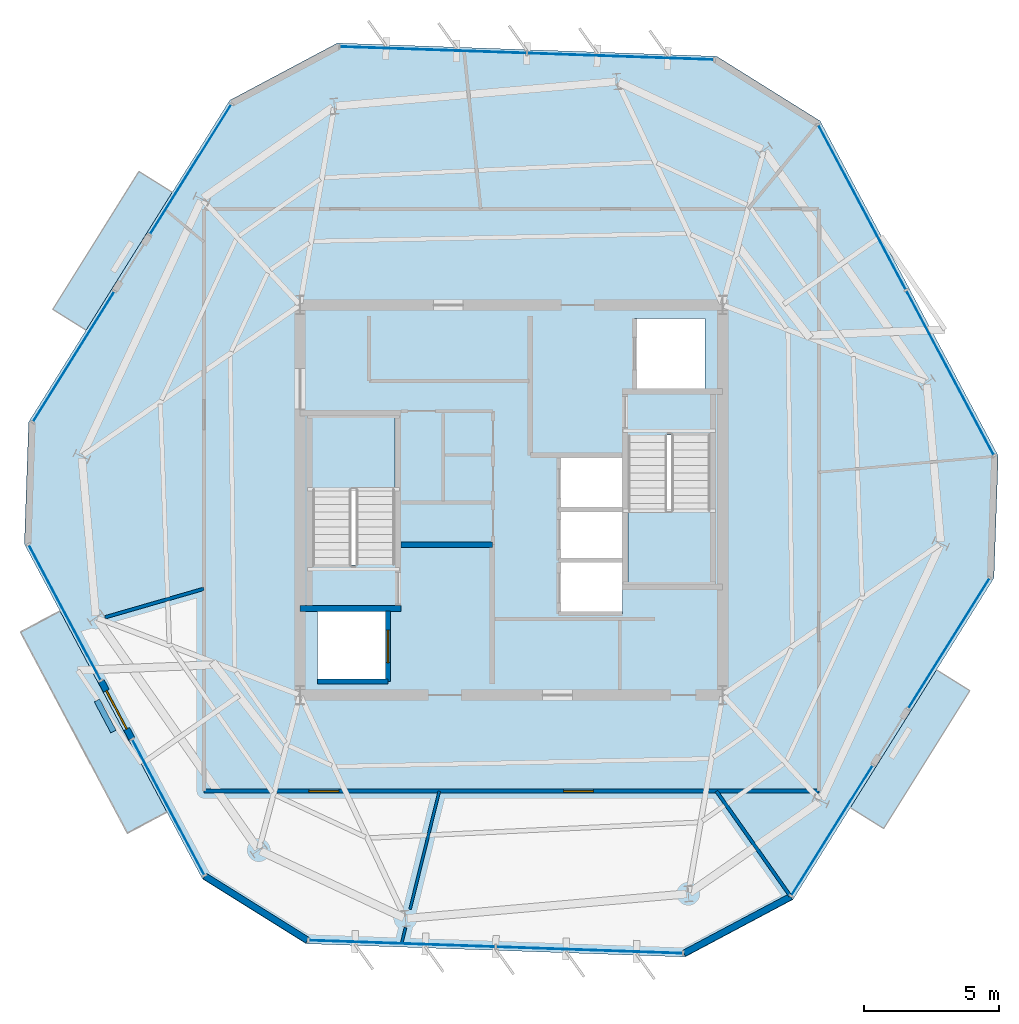
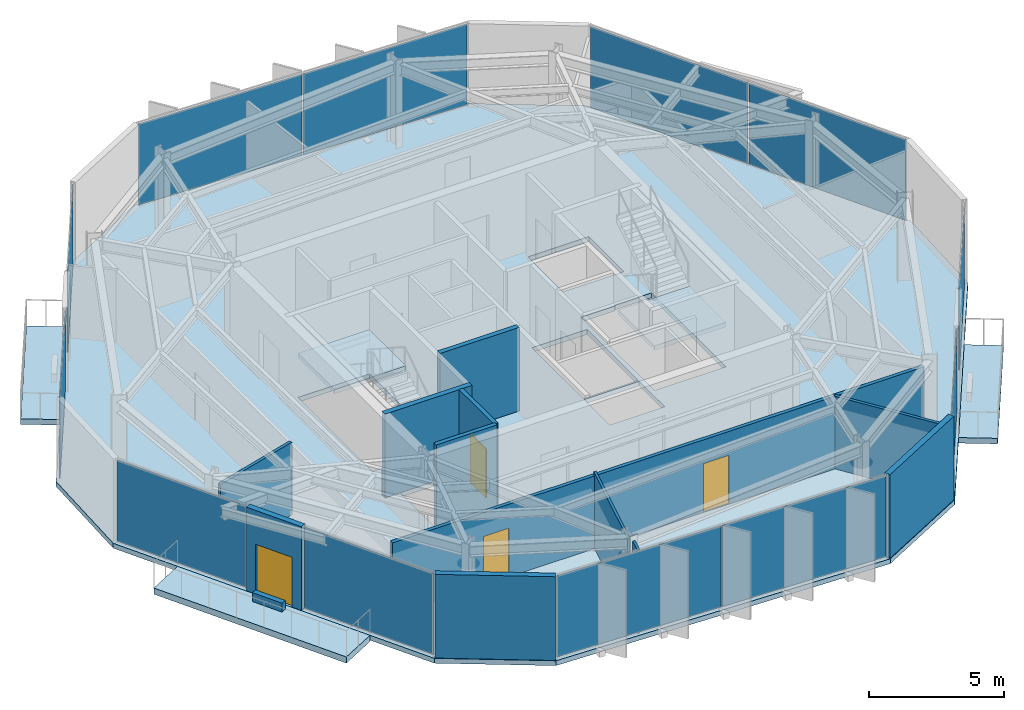
# One storey, part 6 of 12: 13 walls, 12 plates, 6 slabs, 4 doors, 4 openings, 11 elements without a shape of their own.
"""IFC4 building model written with IfcOpenShell, lengths in metres."""

from ifc_helpers import new_model, si_unit, direction, frame, frame_2d, origin, origin_2d, place, context, subcontext, project, spatial, polyline, rectangle, outline, extrude, material, layer, layer_set, type_object, element, fill, aggregate, save


model = new_model("IFC4")

# Units and contexts
model_context = context("Model", 3, precision=1e-05, world=origin(), true_north=direction((0.0, 1.0)))
body_context = subcontext(model_context, "Body", "Model", "MODEL_VIEW")
ifc_project = project(units=[si_unit("LENGTHUNIT", "METRE"), si_unit("AREAUNIT", "SQUARE_METRE"), si_unit("VOLUMEUNIT", "CUBIC_METRE"), si_unit("PLANEANGLEUNIT", "RADIAN"), si_unit("MASSUNIT", "GRAM", prefix="KILO")], contexts=[model_context])

# Site, building, storey
site_placement = place(None, origin())
site = spatial("IfcSite", under=ifc_project, at=site_placement, CompositionType="ELEMENT")
building_placement = place(site_placement, origin())
building = spatial("IfcBuilding", under=site, at=building_placement, Name="Kranzbogen Civic Tower", CompositionType="ELEMENT")
storey_placement = place(building_placement, frame((0.0, 0.0, 258.199951171875)))
storey = spatial("IfcBuildingStorey", under=building, at=storey_placement, Name="L62", CompositionType="ELEMENT", Elevation=258.199951171875)

# Slab
ifc_material_1 = material(Name="Concrete C40/50", Category="concrete")
ifc_layer_1 = layer(ifc_material_1, 0.219970703125, Name="Concrete C40/50")
ifc_layer_set_1 = layer_set([ifc_layer_1], Name="Concrete C40/50")
slab_type_1 = type_object("IfcSlabType", Name="Composite Upper Tower Floor Slab 220 mm", PredefinedType="FLOOR", material=ifc_layer_set_1)
slab_1_placement = place(storey_placement, frame((0.0, 0.0, -0.219970703125)))
element("IfcSlab", 1, at=slab_1_placement, inside=storey, type_object=slab_type_1, Name="L62 tower floor slab", PredefinedType="FLOOR", context=body_context, shape_type="SweptSolid", body=[
    extrude(outline(polyline([(32.58203125, 41.37890625), (18.5791015625, 41.867919921875), (14.60595703125, 39.7548828125), (7.181884765625, 27.8740234375), (7.02490234375, 23.3759765625), (13.60205078125, 11.006103515625), (17.41796875, 8.62109375), (31.4208984375, 8.132080078125), (35.39404296875, 10.2451171875), (42.818115234375, 22.1259765625), (42.97509765625, 26.6240234375), (36.39794921875, 38.993896484375), (32.58203125, 41.37890625)]), holes=[polyline([(17.85009765625, 20.89990234375), (20.449951171875, 20.89990234375), (20.449951171875, 18.300048828125), (17.85009765625, 18.300048828125), (17.85009765625, 20.89990234375)]), polyline([(29.10009765625, 22.699951171875), (29.10009765625, 20.800048828125), (26.75, 20.800048828125), (26.75, 22.699951171875), (29.10009765625, 22.699951171875)]), polyline([(29.10009765625, 24.64990234375), (29.10009765625, 22.77490234375), (26.75, 22.77490234375), (26.75, 24.64990234375), (26.75, 24.675048828125), (26.75, 26.550048828125), (29.10009765625, 26.550048828125), (29.10009765625, 24.675048828125), (29.10009765625, 24.64990234375)]), polyline([(29.300048828125, 27.340087890625), (30.75, 27.340087890625), (30.75, 27.39990234375), (32.35009765625, 27.39990234375), (32.35009765625, 21.89990234375), (29.300048828125, 21.89990234375), (29.300048828125, 27.340087890625)]), polyline([(20.699951171875, 22.659912109375), (19.25, 22.659912109375), (19.25, 22.60009765625), (17.64990234375, 22.60009765625), (17.64990234375, 28.10009765625), (20.699951171875, 28.10009765625), (20.699951171875, 22.659912109375)]), polyline([(32.14990234375, 31.699951171875), (32.14990234375, 29.10009765625), (29.550048828125, 29.10009765625), (29.550048828125, 31.699951171875), (32.14990234375, 31.699951171875)])]), origin(), (0.0, 0.0, 1.0), 0.219970703125),
])

# Curtain wall, plates
ifc_material_2 = material(Name="Pale Anodised Aluminium", Category="aluminium")
ifc_layer_2 = layer(ifc_material_2, 0.219970703125, Name="Pale Anodised Aluminium")
ifc_layer_set_2 = layer_set([ifc_layer_2], Name="Pale Anodised Aluminium")
curtain_wall_type = type_object("IfcCurtainWallType", Name="Zone 4 Stick Curtain Wall System CW-05", PredefinedType="USERDEFINED", material=ifc_layer_set_2)
curtain_wall_1_placement = place(storey_placement, origin())
curtain_wall_1 = element("IfcCurtainWall", 2, at=curtain_wall_1_placement, inside=storey, type_object=curtain_wall_type, Name="L62 curtain wall CW-L62-F1", ObjectType="STICK CURTAIN WALL", PredefinedType="USERDEFINED")
ifc_material_3 = material(Name="Low-E Triple Glazing Glass", Category="glass")
ifc_layer_3 = layer(ifc_material_3, 0.028076171875, Name="Low-E Triple Glazing Glass")
ifc_layer_set_3 = layer_set([ifc_layer_3], Name="Low-E Triple Glazing Glass")
plate_type = type_object("IfcPlateType", Name="Insulated Low-E Glazing Panel 28 mm", PredefinedType="CURTAIN_PANEL", material=ifc_layer_set_3)
plate_1_placement = place(storey_placement, frame((29.034423828125, 41.373779296875, 0.06005859375), z_axis=(0.0, 0.0, 1.0), x_axis=(-0.999391301516, 0.034885906233, 0.0)))
plate_1 = element("IfcPlate", 3, at=plate_1_placement, type_object=plate_type, Name="CW-05 panel 1.1", PredefinedType="CURTAIN_PANEL", context=body_context, shape_type="SweptSolid", body=[
    extrude(rectangle(XDim=6.861328125, YDim=0.028076171875, at=origin_2d()), origin(), (0.0, 0.0, 1.0), 3.659912109375),
])
plate_2_placement = place(storey_placement, frame((22.117431640625, 41.615234375, 0.06005859375), z_axis=(0.0, 0.0, 1.0), x_axis=(-0.999391301516, 0.034885906233, 0.0)))
plate_2 = element("IfcPlate", 4, at=plate_2_placement, type_object=plate_type, Name="CW-05 panel 2.1", PredefinedType="CURTAIN_PANEL", context=body_context, shape_type="SweptSolid", body=[
    extrude(rectangle(XDim=6.861328125, YDim=0.028076171875, at=origin_2d()), origin(), (0.0, 0.0, 1.0), 3.659912109375),
])
aggregate(curtain_wall_1, [plate_1, plate_2])

# Curtain wall, plate
curtain_wall_2_placement = place(storey_placement, origin())
curtain_wall_2 = element("IfcCurtainWall", 5, at=curtain_wall_2_placement, inside=storey, type_object=curtain_wall_type, Name="L62 curtain wall CW-L62-F2-S1", ObjectType="STICK CURTAIN WALL", PredefinedType="USERDEFINED")
plate_3_placement = place(storey_placement, frame((13.1630859375, 37.202392578125, 0.06005859375), z_axis=(0.0, 0.0, 1.0), x_axis=(-0.52998331033, -0.848008072351, 0.0)))
plate_3 = element("IfcPlate", 6, at=plate_3_placement, type_object=plate_type, Name="CW-05 panel 1.1", PredefinedType="CURTAIN_PANEL", context=body_context, shape_type="SweptSolid", body=[
    extrude(rectangle(XDim=5.631103515625, YDim=0.028076171875, at=origin_2d()), origin(), (0.0, 0.0, 1.0), 3.659912109375),
])
aggregate(curtain_wall_2, [plate_3])

curtain_wall_3_placement = place(storey_placement, origin())
curtain_wall_3 = element("IfcCurtainWall", 7, at=curtain_wall_3_placement, inside=storey, type_object=curtain_wall_type, Name="L62 curtain wall CW-L62-F2-S2", ObjectType="STICK CURTAIN WALL", PredefinedType="USERDEFINED")
plate_4_placement = place(storey_placement, frame((8.843994140625, 30.29052734375, 0.06005859375), z_axis=(0.0, 0.0, 1.0), x_axis=(-0.52998331033, -0.848008072351, 0.0)))
plate_4 = element("IfcPlate", 8, at=plate_4_placement, type_object=plate_type, Name="CW-05 panel 1.1", PredefinedType="CURTAIN_PANEL", context=body_context, shape_type="SweptSolid", body=[
    extrude(rectangle(XDim=5.631103515625, YDim=0.028076171875, at=origin_2d()), origin(), (0.0, 0.0, 1.0), 3.659912109375),
])
aggregate(curtain_wall_3, [plate_4])

curtain_wall_4_placement = place(storey_placement, origin())
curtain_wall_4 = element("IfcCurtainWall", 9, at=curtain_wall_4_placement, inside=storey, type_object=curtain_wall_type, Name="L62 curtain wall CW-L62-F3-S1", ObjectType="STICK CURTAIN WALL", PredefinedType="USERDEFINED")
plate_5_placement = place(storey_placement, frame((8.513916015625, 20.85009765625, 0.06005859375), z_axis=(0.0, 0.0, 1.0), x_axis=(0.469468784746, -0.882949069963, 0.0)))
plate_5 = element("IfcPlate", 10, at=plate_5_placement, type_object=plate_type, Name="CW-05 panel 1.1", PredefinedType="CURTAIN_PANEL", context=body_context, shape_type="SweptSolid", body=[
    extrude(rectangle(XDim=5.631103515625, YDim=0.028076171875, at=origin_2d()), origin(), (0.0, 0.0, 1.0), 3.659912109375),
])
aggregate(curtain_wall_4, [plate_5])

curtain_wall_5_placement = place(storey_placement, origin())
curtain_wall_5 = element("IfcCurtainWall", 11, at=curtain_wall_5_placement, inside=storey, type_object=curtain_wall_type, Name="L62 curtain wall CW-L62-F3-S2", ObjectType="STICK CURTAIN WALL", PredefinedType="USERDEFINED")
plate_6_placement = place(storey_placement, frame((12.340576171875, 13.653564453125, 0.06005859375), z_axis=(0.0, 0.0, 1.0), x_axis=(0.4694052891, -0.882982828012, 0.0)))
plate_6 = element("IfcPlate", 12, at=plate_6_placement, type_object=plate_type, Name="CW-05 panel 1.1", PredefinedType="CURTAIN_PANEL", context=body_context, shape_type="SweptSolid", body=[
    extrude(rectangle(XDim=5.6298828125, YDim=0.028076171875, at=origin_2d()), origin(), (0.0, 0.0, 1.0), 3.659912109375),
])
aggregate(curtain_wall_5, [plate_6])

# Curtain wall, plates
curtain_wall_6_placement = place(storey_placement, origin())
curtain_wall_6 = element("IfcCurtainWall", 13, at=curtain_wall_6_placement, inside=storey, type_object=curtain_wall_type, Name="L62 curtain wall CW-L62-F4", ObjectType="STICK CURTAIN WALL", PredefinedType="USERDEFINED")
plate_7_placement = place(storey_placement, frame((20.965576171875, 8.626220703125, 0.06005859375), z_axis=(0.0, 0.0, 1.0), x_axis=(0.999391301516, -0.034885906233, 0.0)))
plate_7 = element("IfcPlate", 14, at=plate_7_placement, type_object=plate_type, Name="CW-05 panel 1.1", PredefinedType="CURTAIN_PANEL", context=body_context, shape_type="SweptSolid", body=[
    extrude(rectangle(XDim=6.861328125, YDim=0.028076171875, at=origin_2d()), origin(), (0.0, 0.0, 1.0), 3.659912109375),
])
plate_8_placement = place(storey_placement, frame((27.882568359375, 8.384765625, 0.06005859375), z_axis=(0.0, 0.0, 1.0), x_axis=(0.999391301516, -0.034885906233, 0.0)))
plate_8 = element("IfcPlate", 15, at=plate_8_placement, type_object=plate_type, Name="CW-05 panel 2.1", PredefinedType="CURTAIN_PANEL", context=body_context, shape_type="SweptSolid", body=[
    extrude(rectangle(XDim=6.861328125, YDim=0.028076171875, at=origin_2d()), origin(), (0.0, 0.0, 1.0), 3.659912109375),
])
aggregate(curtain_wall_6, [plate_7, plate_8])

# Curtain wall, plate
curtain_wall_7_placement = place(storey_placement, origin())
curtain_wall_7 = element("IfcCurtainWall", 16, at=curtain_wall_7_placement, inside=storey, type_object=curtain_wall_type, Name="L62 curtain wall CW-L62-F5-S1", ObjectType="STICK CURTAIN WALL", PredefinedType="USERDEFINED")
plate_9_placement = place(storey_placement, frame((36.8369140625, 12.798095703125, 0.06005859375), z_axis=(0.0, 0.0, 1.0), x_axis=(0.529905173136, 0.848056901088, 0.0)))
plate_9 = element("IfcPlate", 17, at=plate_9_placement, type_object=plate_type, Name="CW-05 panel 1.1", PredefinedType="CURTAIN_PANEL", context=body_context, shape_type="SweptSolid", body=[
    extrude(rectangle(XDim=5.632080078125, YDim=0.028076171875, at=origin_2d()), origin(), (0.0, 0.0, 1.0), 3.659912109375),
])
aggregate(curtain_wall_7, [plate_9])

curtain_wall_8_placement = place(storey_placement, origin())
curtain_wall_8 = element("IfcCurtainWall", 18, at=curtain_wall_8_placement, inside=storey, type_object=curtain_wall_type, Name="L62 curtain wall CW-L62-F5-S2", ObjectType="STICK CURTAIN WALL", PredefinedType="USERDEFINED")
plate_10_placement = place(storey_placement, frame((41.156494140625, 19.7099609375, 0.06005859375), z_axis=(0.0, 0.0, 1.0), x_axis=(0.529936405268, 0.848037385008, 0.0)))
plate_10 = element("IfcPlate", 19, at=plate_10_placement, type_object=plate_type, Name="CW-05 panel 1.1", PredefinedType="CURTAIN_PANEL", context=body_context, shape_type="SweptSolid", body=[
    extrude(rectangle(XDim=5.629638671875, YDim=0.028076171875, at=origin_2d()), origin(), (0.0, 0.0, 1.0), 3.659912109375),
])
aggregate(curtain_wall_8, [plate_10])

# Curtain wall, plates
curtain_wall_9_placement = place(storey_placement, origin())
curtain_wall_9 = element("IfcCurtainWall", 20, at=curtain_wall_9_placement, inside=storey, type_object=curtain_wall_type, Name="L62 curtain wall CW-L62-F6", ObjectType="STICK CURTAIN WALL", PredefinedType="USERDEFINED")
plate_11_placement = place(storey_placement, frame((41.197509765625, 29.692626953125, 0.06005859375), z_axis=(0.0, 0.0, 1.0), x_axis=(-0.469460258676, 0.882953603268, 0.0)))
plate_11 = element("IfcPlate", 21, at=plate_11_placement, type_object=plate_type, Name="CW-05 panel 1.1", PredefinedType="CURTAIN_PANEL", context=body_context, shape_type="SweptSolid", body=[
    extrude(rectangle(XDim=6.860595703125, YDim=0.028076171875, at=origin_2d()), origin(), (0.0, 0.0, 1.0), 3.659912109375),
])
plate_12_placement = place(storey_placement, frame((37.948486328125, 35.80322265625, 0.06005859375), z_axis=(0.0, 0.0, 1.0), x_axis=(-0.469460258676, 0.882953603268, 0.0)))
plate_12 = element("IfcPlate", 22, at=plate_12_placement, type_object=plate_type, Name="CW-05 panel 2.1", PredefinedType="CURTAIN_PANEL", context=body_context, shape_type="SweptSolid", body=[
    extrude(rectangle(XDim=6.860595703125, YDim=0.028076171875, at=origin_2d()), origin(), (0.0, 0.0, 1.0), 3.659912109375),
])
aggregate(curtain_wall_9, [plate_11, plate_12])

# Stair, slab
ifc_material_4 = material(Name="Precast concrete C40/50", Category="concrete")
stair_type_1 = type_object("IfcStairType", Name="Tower Core Pressurized Dogleg Stair 1450", PredefinedType="HALF_TURN_STAIR", material=ifc_material_4)
stair_1_placement = place(storey_placement, origin())
stair_1 = element("IfcStair", 23, at=stair_1_placement, inside=storey, type_object=stair_type_1, Name="L62 Tower Core Pressurized Stair 1", PredefinedType="HALF_TURN_STAIR")
ifc_layer_4 = layer(ifc_material_4, 0.199951171875, Name="Precast concrete C40/50")
ifc_layer_set_4 = layer_set([ifc_layer_4], Name="Precast concrete C40/50")
slab_type_2 = type_object("IfcSlabType", Name="Precast Concrete Stair Landing Slab 200 mm", PredefinedType="LANDING", material=ifc_layer_set_4)
slab_2_placement = place(storey_placement, frame((0.0, 0.0, 1.800048828125)))
slab_2 = element("IfcSlab", 24, at=slab_2_placement, type_object=slab_type_2, Name="ST-T1 landing 1", PredefinedType="LANDING", context=body_context, shape_type="SweptSolid", body=[
    extrude(outline(polyline([(20.699951171875, 25.39990234375), (20.699951171875, 28.10009765625), (17.64990234375, 28.10009765625), (17.64990234375, 25.39990234375), (20.699951171875, 25.39990234375)])), origin(), (0.0, 0.0, 1.0), 0.199951171875),
])
aggregate(stair_1, [slab_2])

stair_type_2 = type_object("IfcStairType", Name="Tower Core Secondary Dogleg Stair 1450", PredefinedType="HALF_TURN_STAIR", material=ifc_material_4)
stair_2_placement = place(storey_placement, origin())
stair_2 = element("IfcStair", 25, at=stair_2_placement, inside=storey, type_object=stair_type_2, Name="L62 Tower Core Pressurized Stair 2", PredefinedType="HALF_TURN_STAIR")
slab_3_placement = place(storey_placement, frame((0.0, 0.0, 1.800048828125)))
slab_3 = element("IfcSlab", 26, at=slab_3_placement, type_object=slab_type_2, Name="ST-T2 landing 1", PredefinedType="LANDING", context=body_context, shape_type="SweptSolid", body=[
    extrude(outline(polyline([(29.300048828125, 24.60009765625), (29.300048828125, 21.89990234375), (32.35009765625, 21.89990234375), (32.35009765625, 24.60009765625), (29.300048828125, 24.60009765625)])), origin(), (0.0, 0.0, 1.0), 0.199951171875),
])
aggregate(stair_2, [slab_3])

# Slabs
ifc_layer_5 = layer(ifc_material_1, 0.280029296875, Name="Concrete C40/50")
ifc_layer_set_5 = layer_set([ifc_layer_5], Name="Concrete C40/50")
slab_type_3 = type_object("IfcSlabType", Name="Spiral Terrace Cantilevered Slab 280 mm", PredefinedType="FLOOR", material=ifc_layer_set_5)
slab_4_placement = place(storey_placement, frame((0.0, 0.0, -0.280029296875)))
element("IfcSlab", 27, at=slab_4_placement, inside=storey, type_object=slab_type_3, Name="L62 cantilevered spiral terrace L62-ST", PredefinedType="FLOOR", context=body_context, shape_type="SweptSolid", body=[
    extrude(outline(polyline([(8.342041015625, 20.89892578125), (12.284912109375, 13.48291015625), (10.827880859375, 12.7080078125), (6.885009765625, 20.1240234375), (8.342041015625, 20.89892578125)])), origin(), (0.0, 0.0, 1.0), 0.280029296875),
])
ifc_layer_6 = layer(ifc_material_1, 0.25, Name="Concrete C40/50")
ifc_layer_set_6 = layer_set([ifc_layer_6], Name="Concrete C40/50")
slab_type_4 = type_object("IfcSlabType", Name="Tree Balcony Cantilevered Slab 250 mm", PredefinedType="FLOOR", material=ifc_layer_set_6)
slab_5_placement = place(storey_placement, frame((0.0, 0.0, -0.25)))
element("IfcSlab", 28, at=slab_5_placement, inside=storey, type_object=slab_type_4, Name="L62 cantilevered tree balcony L62-TB1", PredefinedType="FLOOR", context=body_context, shape_type="SweptSolid", body=[
    extrude(outline(polyline([(37.51611328125, 13.64111328125), (40.696044921875, 18.72998046875), (41.926025390625, 17.9619140625), (38.74609375, 12.873046875), (37.51611328125, 13.64111328125)])), origin(), (0.0, 0.0, 1.0), 0.25),
])
slab_6_placement = place(storey_placement, frame((0.0, 0.0, -0.25)))
element("IfcSlab", 29, at=slab_6_placement, inside=storey, type_object=slab_type_4, Name="L62 cantilevered tree balcony L62-TB2", PredefinedType="FLOOR", context=body_context, shape_type="SweptSolid", body=[
    extrude(outline(polyline([(12.48388671875, 36.35888671875), (9.303955078125, 31.27001953125), (8.073974609375, 32.0380859375), (11.25390625, 37.126953125), (12.48388671875, 36.35888671875)])), origin(), (0.0, 0.0, 1.0), 0.25),
])

# Wall, openings, doors
ifc_material_5 = material(Name="Double-Stud Acoustic Gypsum Partition")
ifc_layer_7 = layer(ifc_material_5, 0.14990234375, Name="Double-Stud Acoustic Gypsum Partition")
ifc_layer_set_7 = layer_set([ifc_layer_7], Name="Double-Stud Acoustic Gypsum Partition")
wall_type_1 = type_object("IfcWallType", Name="Acoustic Corridor and Clinical Partition 150 mm", PredefinedType="PARTITIONING", material=ifc_layer_set_7)
wall_1_placement = place(storey_placement, frame((36.35009765625, 14.25, 0.0), z_axis=(0.0, 0.0, 1.0), x_axis=(-1.0, 0.0, 0.0)))
wall_1 = element("IfcWall", 30, at=wall_1_placement, inside=storey, type_object=wall_type_1, Name="L62 corridor partition 03", PredefinedType="PARTITIONING", context=body_context, shape_type="SweptSolid", body=[
    extrude(rectangle(XDim=22.7001953125, YDim=0.14990234375, at=frame_2d((11.35009765625, 0.0))), origin(), (0.0, 0.0, 1.0), 3.280029296875),
])
opening_1_placement = place(wall_1_placement, frame((17.718017578125, 0.0, 0.0)))
opening_1 = element("IfcOpeningElement", 31, at=opening_1_placement, cuts=wall_1, Name="Opening D-COR60", PredefinedType="OPENING", context=body_context, shape_type="SweptSolid", body=[
    extrude(rectangle(XDim=1.10009765625, YDim=2.199951171875, at=frame_2d((0.550048828125, 1.10009765625))), frame((0.0, 0.0849609375, 0.0), z_axis=(0.0, -1.0, 0.0), x_axis=(1.0, 0.0, 0.0)), (0.0, 0.0, 1.0), 0.169921875),
])
opening_2_placement = place(wall_1_placement, frame((8.322021484375, 0.0, 0.0)))
opening_2 = element("IfcOpeningElement", 32, at=opening_2_placement, cuts=wall_1, Name="Opening D-COR60", PredefinedType="OPENING", context=body_context, shape_type="SweptSolid", body=[
    extrude(rectangle(XDim=1.10009765625, YDim=2.199951171875, at=frame_2d((0.550048828125, 1.10009765625))), frame((0.0, 0.0849609375, 0.0), z_axis=(0.0, -1.0, 0.0), x_axis=(1.0, 0.0, 0.0)), (0.0, 0.0, 1.0), 0.169921875),
])
ifc_material_6 = material(Name="Oak Timber and Fire Core", Category="wood")
door_type_1 = type_object("IfcDoorType", Name="Corridor Acoustic Fire Door 1100x2200", OperationType="NOTDEFINED", PredefinedType="DOOR", material=ifc_material_6)
door_1_placement = place(opening_1_placement, origin())
door_1 = element("IfcDoor", 33, at=door_1_placement, inside=storey, type_object=door_type_1, Name="L62 Public Delegation Reception door", OperationType="SINGLE_SWING_RIGHT", OverallHeight=2.199951171875, OverallWidth=1.10009765625, PredefinedType="DOOR", context=body_context, shape_type="SweptSolid", body=[
    extrude(rectangle(XDim=1.10009765625, YDim=2.199951171875, at=frame_2d((0.550048828125, 1.10009765625))), frame((0.0, 0.02490234375, 0.0), z_axis=(0.0, -1.0, 0.0), x_axis=(1.0, 0.0, 0.0)), (0.0, 0.0, 1.0), 0.050048828125),
])
fill(opening_1, door_1)
door_2_placement = place(opening_2_placement, origin())
door_2 = element("IfcDoor", 34, at=door_2_placement, inside=storey, type_object=door_type_1, Name="L62 Visitor Concierge Foyer door", OperationType="SINGLE_SWING_LEFT", OverallHeight=2.199951171875, OverallWidth=1.10009765625, PredefinedType="DOOR", context=body_context, shape_type="SweptSolid", body=[
    extrude(rectangle(XDim=1.10009765625, YDim=2.199951171875, at=frame_2d((0.550048828125, 1.10009765625))), frame((0.0, 0.02490234375, 0.0), z_axis=(0.0, -1.0, 0.0), x_axis=(1.0, 0.0, 0.0)), (0.0, 0.0, 1.0), 0.050048828125),
])
fill(opening_2, door_2)

# Walls
ifc_material_7 = material(Name="Insulated Metal-Stud Gypsum Partition")
ifc_layer_8 = layer(ifc_material_7, 0.125, Name="Insulated Metal-Stud Gypsum Partition")
ifc_layer_set_8 = layer_set([ifc_layer_8], Name="Insulated Metal-Stud Gypsum Partition")
wall_type_2 = type_object("IfcWallType", Name="Acoustic Inter-Room Partition 125 mm", PredefinedType="PARTITIONING", material=ifc_layer_set_8)
wall_2_placement = place(storey_placement, frame((13.64990234375, 21.721923828125, 0.0), z_axis=(0.0, 0.0, 1.0), x_axis=(-0.960759940579, -0.277381211655, 0.0)))
element("IfcWall", 35, at=wall_2_placement, inside=storey, type_object=wall_type_2, Name="L62 radial room partition 03", PredefinedType="PARTITIONING", context=body_context, shape_type="SweptSolid", body=[
    extrude(rectangle(XDim=3.792724609375, YDim=0.125, at=frame_2d((1.896484375, 0.0))), origin(), (0.0, 0.0, 1.0), 3.280029296875),
])
wall_3_placement = place(storey_placement, frame((32.572998046875, 14.25, 0.0), z_axis=(0.0, 0.0, 1.0), x_axis=(0.575837769847, -0.817563980871, 0.0)))
element("IfcWall", 36, at=wall_3_placement, inside=storey, type_object=wall_type_2, Name="L62 radial room partition 05", PredefinedType="PARTITIONING", context=body_context, shape_type="SweptSolid", body=[
    extrude(rectangle(XDim=4.740966796875, YDim=0.125, at=frame_2d((2.37060546875, 0.0))), origin(), (0.0, 0.0, 1.0), 3.280029296875),
])
ifc_material_8 = material(Name="Architectural Precast Terracotta Concrete C40/50", Category="masonry")
ifc_layer_9 = layer(ifc_material_8, 0.219970703125, Name="Architectural Precast Terracotta Concrete C40/50")
ifc_layer_set_9 = layer_set([ifc_layer_9], Name="Architectural Precast Terracotta Concrete C40/50")
wall_type_3 = type_object("IfcWallType", Name="Architectural Tree Planter Kerb Wall 220 mm", PredefinedType="USERDEFINED", material=ifc_layer_set_9)
wall_4_placement = place(storey_placement, frame((9.702880859375, 17.60205078125, 0.0), z_axis=(0.0, 0.0, 1.0), x_axis=(0.4693108362, -0.883033033938, 0.0)))
element("IfcWall", 37, at=wall_4_placement, inside=storey, type_object=wall_type_3, Name="L62 landscaped tree balcony planter L62-ST", ObjectType="PLANTER_WALL", PredefinedType="USERDEFINED", context=body_context, shape_type="SweptSolid", body=[
    extrude(rectangle(XDim=1.300048828125, YDim=0.219970703125, at=frame_2d((0.64990234375, 0.0))), origin(), (0.0, 0.0, 1.0), 0.400146484375),
])
ifc_material_9 = material(Name="Concrete C45/55", Category="concrete")
ifc_layer_10 = layer(ifc_material_9, 0.219970703125, Name="Concrete C45/55")
ifc_layer_set_10 = layer_set([ifc_layer_10], Name="Concrete C45/55")
wall_type_4 = type_object("IfcWallType", Name="Core Internal Stair Structural Wall 220 mm", PredefinedType="SOLIDWALL", material=ifc_layer_set_10)
wall_5_placement = place(storey_placement, frame((17.199951171875, 20.989990234375, 0.0), z_axis=(0.0, 0.0, 1.0), x_axis=(1.0, 0.0, 0.0)))
element("IfcWall", 38, at=wall_5_placement, inside=storey, type_object=wall_type_4, Name="L62 ST-T1 South structural stair wall", PredefinedType="SOLIDWALL", context=body_context, shape_type="SweptSolid", body=[
    extrude(rectangle(XDim=3.719970703125, YDim=0.219970703125, at=frame_2d((1.85986328125, 0.0))), origin(), (0.0, 0.0, 1.0), 3.780029296875),
])
ifc_material_10 = material(Name="Demountable Aluminium and Gypsum Partition", Category="aluminium")
ifc_layer_11 = layer(ifc_material_10, 0.10009765625, Name="Demountable Aluminium and Gypsum Partition")
ifc_layer_set_11 = layer_set([ifc_layer_11], Name="Demountable Aluminium and Gypsum Partition")
wall_type_5 = type_object("IfcWallType", Name="Demountable Office Partition 100 mm", PredefinedType="MOVABLE", material=ifc_layer_set_11)
wall_6_placement = place(storey_placement, frame((22.341064453125, 14.25, 0.0), z_axis=(0.0, 0.0, 1.0), x_axis=(-0.240245677683, -0.970712117136, 0.0)))
element("IfcWall", 39, at=wall_6_placement, inside=storey, type_object=wall_type_5, Name="L62 radial room partition 04 part 1", PredefinedType="MOVABLE", context=body_context, shape_type="SweptSolid", body=[
    extrude(rectangle(XDim=4.49169921875, YDim=0.10009765625, at=frame_2d((2.245849609375, 0.0))), origin(), (0.0, 0.0, 1.0), 3.420166015625),
])
wall_7_placement = place(storey_placement, frame((21.093994140625, 9.2099609375, 0.0), z_axis=(0.0, 0.0, 1.0), x_axis=(-0.239583063614, -0.970875870351, 0.0)))
element("IfcWall", 40, at=wall_7_placement, inside=storey, type_object=wall_type_5, Name="L62 radial room partition 04 part 2", PredefinedType="MOVABLE", context=body_context, shape_type="SweptSolid", body=[
    extrude(rectangle(XDim=0.583984375, YDim=0.10009765625, at=frame_2d((0.2919921875, 0.0))), origin(), (0.0, 0.0, 1.0), 3.780029296875),
])
ifc_material_11 = material(Name="Gypsum Fireboard and Concrete Block", Category="concrete")
ifc_layer_12 = layer(ifc_material_11, 0.199951171875, Name="Gypsum Fireboard and Concrete Block")
ifc_layer_set_12 = layer_set([ifc_layer_12], Name="Gypsum Fireboard and Concrete Block")
wall_type_6 = type_object("IfcWallType", Name="Fire-Rated Exit Passageway and Stair Wall 200 mm", PredefinedType="PARTITIONING", material=ifc_layer_set_12)
wall_8_placement = place(storey_placement, frame((20.919921875, 23.35009765625, 0.0), z_axis=(0.0, 0.0, 1.0), x_axis=(1.0, 0.0, 0.0)))
element("IfcWall", 41, at=wall_8_placement, inside=storey, type_object=wall_type_6, Name="L62 West firefighting lobby North wall", PredefinedType="PARTITIONING", context=body_context, shape_type="SweptSolid", body=[
    extrude(rectangle(XDim=3.380126953125, YDim=0.199951171875, at=frame_2d((1.68994140625, 0.0))), origin(), (0.0, 0.0, 1.0), 3.780029296875),
])

# Wall, opening, door
ifc_material_12 = material(Name="Gypsum Fireboard Shaftliner")
ifc_layer_13 = layer(ifc_material_12, 0.175048828125, Name="Gypsum Fireboard Shaftliner")
ifc_layer_set_13 = layer_set([ifc_layer_13], Name="Gypsum Fireboard Shaftliner")
wall_type_7 = type_object("IfcWallType", Name="Fire-Rated Lift and Service Shaft Wall 175 mm", PredefinedType="PARTITIONING", material=ifc_layer_set_13)
wall_9_placement = place(storey_placement, frame((20.449951171875, 18.300048828125, 0.0), z_axis=(0.0, 0.0, 1.0), x_axis=(0.0, 1.0, 0.0)))
wall_9 = element("IfcWall", 42, at=wall_9_placement, inside=storey, type_object=wall_type_7, Name="L62 lift FF-01 landing wall", PredefinedType="PARTITIONING", context=body_context, shape_type="SweptSolid", body=[
    extrude(rectangle(XDim=2.599853515625, YDim=0.175048828125, at=frame_2d((1.2998046875, 0.0))), origin(), (0.0, 0.0, 1.0), 3.780029296875),
])
opening_3_placement = place(wall_9_placement, frame((0.699951171875, 0.0, 0.0)))
opening_3 = element("IfcOpeningElement", 43, at=opening_3_placement, cuts=wall_9, Name="Opening LD-FF-01", PredefinedType="OPENING", context=body_context, shape_type="SweptSolid", body=[
    extrude(rectangle(XDim=1.199951171875, YDim=2.199951171875, at=frame_2d((0.60009765625, 1.10009765625))), frame((0.0, 0.09765625, 0.0), z_axis=(0.0, -1.0, 0.0), x_axis=(1.0, 0.0, 0.0)), (0.0, 0.0, 1.0), 0.195068359375),
])
door_type_2 = type_object("IfcDoorType", Name="Firefighting and Stretcher Lift Sliding Landing Door 1200x2200", OperationType="DOUBLE_DOOR_SLIDING", PredefinedType="DOOR", material=ifc_material_2)
door_3_placement = place(opening_3_placement, origin())
door_3 = element("IfcDoor", 44, at=door_3_placement, inside=storey, type_object=door_type_2, Name="L62 lift FF-01 sliding landing door", OperationType="DOUBLE_DOOR_SLIDING", OverallHeight=2.199951171875, OverallWidth=1.199951171875, PredefinedType="DOOR", context=body_context, shape_type="SweptSolid", body=[
    extrude(rectangle(XDim=1.199951171875, YDim=2.199951171875, at=frame_2d((0.60009765625, 1.10009765625))), frame((0.0, 0.02490234375, 0.0), z_axis=(0.0, -1.0, 0.0), x_axis=(1.0, 0.0, 0.0)), (0.0, 0.0, 1.0), 0.050048828125),
])
fill(opening_3, door_3)

# Wall
wall_10_placement = place(storey_placement, frame((17.85009765625, 18.300048828125, 0.0), z_axis=(0.0, 0.0, 1.0), x_axis=(1.0, 0.0, 0.0)))
element("IfcWall", 45, at=wall_10_placement, inside=storey, type_object=wall_type_7, Name="L62 lift FF-01 side wall", PredefinedType="PARTITIONING", context=body_context, shape_type="SweptSolid", body=[
    extrude(rectangle(XDim=2.599853515625, YDim=0.175048828125, at=frame_2d((1.2998046875, 0.0))), origin(), (0.0, 0.0, 1.0), 3.780029296875),
])

# Wall, opening, door
ifc_layer_14 = layer(ifc_material_2, 0.239990234375, Name="Pale Anodised Aluminium")
ifc_layer_set_14 = layer_set([ifc_layer_14], Name="Pale Anodised Aluminium")
wall_type_8 = type_object("IfcWallType", Name="Insulated Aluminium Facade Portal Wall 240 mm", PredefinedType="STANDARD", material=ifc_layer_set_14)
wall_11_placement = place(storey_placement, frame((9.864013671875, 18.31103515625, 0.0), z_axis=(0.0, 0.0, 1.0), x_axis=(0.469531998299, -0.882915456073, 0.0)))
wall_11 = element("IfcWall", 46, at=wall_11_placement, inside=storey, type_object=wall_type_8, Name="L62 exterior entrance portal wall 1", PredefinedType="STANDARD", context=body_context, shape_type="SweptSolid", body=[
    extrude(rectangle(XDim=2.400146484375, YDim=0.239990234375, at=frame_2d((1.2001953125, 0.0))), origin(), (0.0, 0.0, 1.0), 3.780029296875),
])
opening_4_placement = place(wall_11_placement, frame((0.39990234375, 0.0, 0.0)))
opening_4 = element("IfcOpeningElement", 47, at=opening_4_placement, cuts=wall_11, Name="Opening D-TER", PredefinedType="OPENING", context=body_context, shape_type="SweptSolid", body=[
    extrude(rectangle(XDim=1.60009765625, YDim=2.25, at=frame_2d((0.800048828125, 1.125))), frame((0.0, 0.1298828125, 0.0), z_axis=(0.0, -1.0, 0.0), x_axis=(1.0, 0.0, 0.0)), (0.0, 0.0, 1.0), 0.260009765625),
])
ifc_material_13 = material(Name="Anodised Bronze and Triple Glass", Category="glass")
door_type_3 = type_object("IfcDoorType", Name="Glazed Terrace and Balcony Double Door 1600x2250", OperationType="DOUBLE_DOOR_SINGLE_SWING", PredefinedType="DOOR", material=ifc_material_13)
door_4_placement = place(opening_4_placement, frame((1.60009765625, 0.0, 0.0), z_axis=(0.0, 0.0, 1.0), x_axis=(-1.0, 0.0, 0.0)))
door_4 = element("IfcDoor", 48, at=door_4_placement, inside=storey, type_object=door_type_3, Name="L62 spiral terrace access door L62-ST", OperationType="DOUBLE_DOOR_SINGLE_SWING", OverallHeight=2.25, OverallWidth=1.60009765625, PredefinedType="DOOR", context=body_context, shape_type="SweptSolid", body=[
    extrude(rectangle(XDim=1.60009765625, YDim=2.25, at=frame_2d((0.800048828125, 1.125))), frame((0.0, 0.02490234375, 0.0), z_axis=(0.0, -1.0, 0.0), x_axis=(1.0, 0.0, 0.0)), (0.0, 0.0, 1.0), 0.050048828125),
])
fill(opening_4, door_4)

# Walls
wall_12_placement = place(storey_placement, frame((13.68994140625, 11.114990234375, 0.0), z_axis=(0.0, 0.0, 1.0), x_axis=(0.847998304005, -0.529998940003, 0.0)))
element("IfcWall", 49, at=wall_12_placement, inside=storey, type_object=wall_type_8, Name="L62 chamfered corner facade spandrel 3", PredefinedType="STANDARD", context=body_context, shape_type="SweptSolid", body=[
    extrude(rectangle(XDim=4.4658203125, YDim=0.239990234375, at=frame_2d((2.23291015625, 0.0))), origin(), (0.0, 0.0, 1.0), 3.780029296875),
])
wall_13_placement = place(storey_placement, frame((31.37109375, 8.262939453125, 0.0), z_axis=(0.0, 0.0, 1.0), x_axis=(0.88294715046, 0.469472394816, 0.0)))
element("IfcWall", 50, at=wall_13_placement, inside=storey, type_object=wall_type_8, Name="L62 chamfered corner facade spandrel 4", PredefinedType="STANDARD", context=body_context, shape_type="SweptSolid", body=[
    extrude(rectangle(XDim=4.46435546875, YDim=0.239990234375, at=frame_2d((2.232177734375, 0.0))), origin(), (0.0, 0.0, 1.0), 3.780029296875),
])

save(model, "model.ifc")
